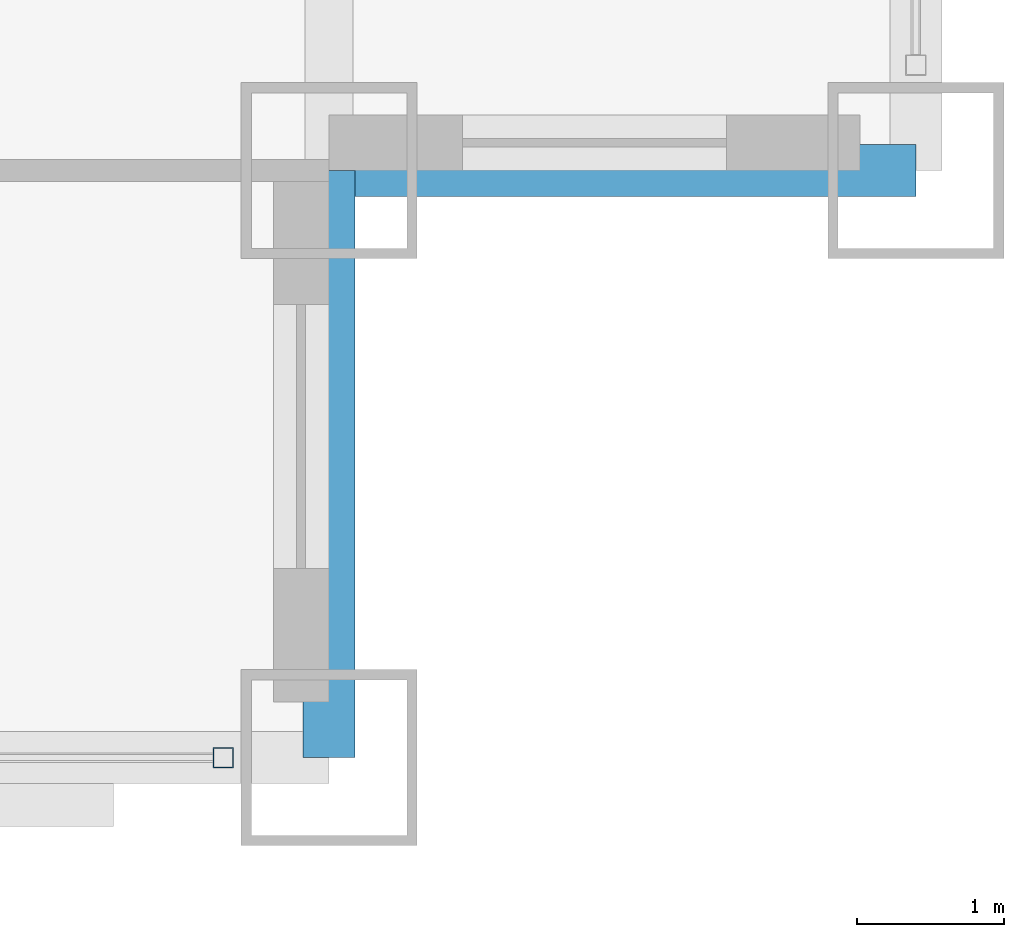
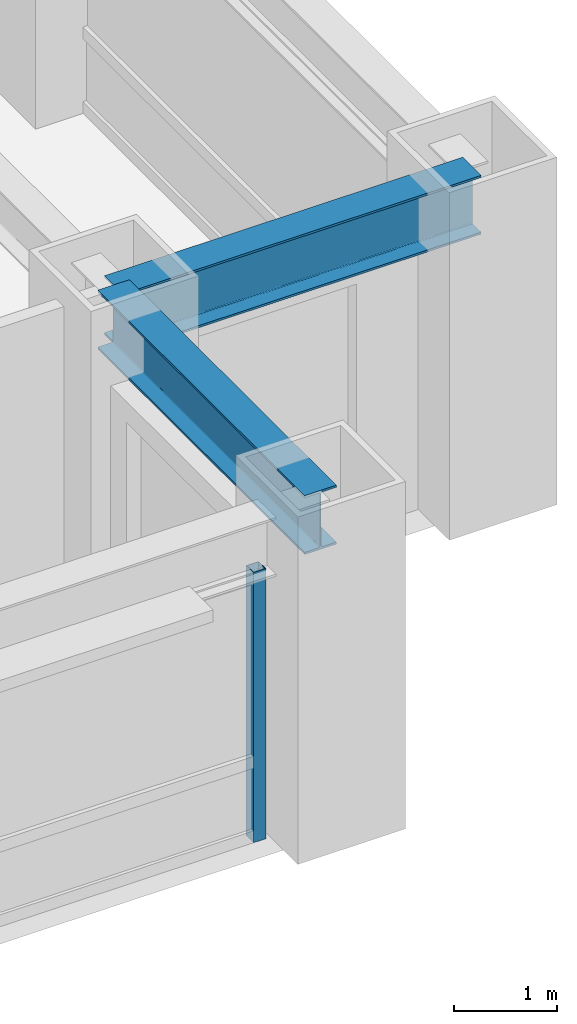
# One storey, part 6 of 32: 2 beams, 1 member, 1 element without a shape of its own.
"""IFC4 building model written with IfcOpenShell, lengths in metres."""

from ifc_helpers import new_model, si_unit, direction, frame, origin, origin_2d, place, context, subcontext, project, spatial, hollow_rectangle, i_section, extrude, source, transform, mapped, material, material_profile, profile_set, type_object, element, aggregate, save


model = new_model("IFC4")

# Units and contexts
model_context = context("Model", 3, precision=1e-05, world=origin(), true_north=direction((0.0, 1.0)))
body_context = subcontext(model_context, "Body", "Model", "MODEL_VIEW")
ifc_project = project(units=[si_unit("LENGTHUNIT", "METRE"), si_unit("AREAUNIT", "SQUARE_METRE"), si_unit("VOLUMEUNIT", "CUBIC_METRE"), si_unit("PLANEANGLEUNIT", "RADIAN"), si_unit("MASSUNIT", "GRAM", prefix="KILO")], contexts=[model_context])

# Site, building, storey
site_placement = place(None, origin())
site = spatial("IfcSite", under=ifc_project, at=site_placement, CompositionType="ELEMENT")
building_placement = place(site_placement, origin())
building = spatial("IfcBuilding", under=site, at=building_placement, Name="Khorayat Bourse Tower", CompositionType="ELEMENT")
storey_placement = place(building_placement, frame((0.0, 0.0, 99.60009765625)))
storey = spatial("IfcBuildingStorey", under=building, at=storey_placement, Name="L22", CompositionType="ELEMENT", Elevation=99.60009765625)

# Beams
ifc_material_1 = material(Name="Steel ASTM A992 Grade 50", Category="steel")
ifc_material_profile_1 = material_profile(ifc_material_1, i_section(OverallWidth=0.35498046875, OverallDepth=0.695068359375, WebThickness=0.015380859375, FlangeThickness=0.02490234375, FilletRadius=0.01806640625, at=origin_2d()), Name="W690X217")
ifc_profile_set_1 = profile_set([ifc_material_profile_1], Name="Steel ASTM A992 Grade 50")
beam_type = type_object("IfcBeamType", Name="BM-SPAN-690", PredefinedType="SPANDREL", material=ifc_profile_set_1)
shared_shape_1 = source(origin(), body_context, "Body", "SweptSolid", [
    extrude(i_section(OverallWidth=0.35498046875, OverallDepth=0.695068359375, WebThickness=0.015380859375, FlangeThickness=0.02490234375, FilletRadius=0.01806640625, at=origin_2d()), origin(), (0.0, 0.0, 1.0), 4.0),
])
for number, where, z_axis, x_axis, name in (
    (1, (28.0, -32.0, 3.492431640625), (0.0, 1.0, 0.0), (-1.0, 0.0, 0.0), "L22 BM-SPAN-690 BM-L22-SPN-032"),
    (2, (28.0, -28.0, 3.492431640625), (1.0, 0.0, 0.0), (0.0, 1.0, 0.0), "L22 BM-SPAN-690 BM-L22-SPN-033"),
):
    element("IfcBeam", number, at=place(storey_placement, frame(where, z_axis=z_axis, x_axis=x_axis)), inside=storey, type_object=beam_type, Name=name, PredefinedType="SPANDREL", context=body_context, shape_type="MappedRepresentation", body=[
        mapped(shared_shape_1, transform((0.0, 0.0, 0.0), scale=1.0)),
    ])

# Curtain wall, member
ifc_material_2 = material(Name="Aluminium EN AW-6063 T6", Category="aluminium")
curtain_wall_type = type_object("IfcCurtainWallType", Name="CW-SYS-02", PredefinedType="NOTDEFINED", material=ifc_material_2)
curtain_wall_placement = place(storey_placement, origin())
curtain_wall = element("IfcCurtainWall", 3, at=curtain_wall_placement, inside=storey, type_object=curtain_wall_type, Name="L22 Curtain Wall CW-L22-S1", PredefinedType="NOTDEFINED")
ifc_material_profile_2 = material_profile(ifc_material_2, hollow_rectangle(XDim=0.139892578125, YDim=0.139892578125, WallThickness=0.006103515625, at=origin_2d()), Name="ALU 140x140x6")
ifc_profile_set_2 = profile_set([ifc_material_profile_2], Name="Aluminium EN AW-6063 T6")
member_type = type_object("IfcMemberType", Name="CWM-VERT-140", PredefinedType="MULLION", material=ifc_profile_set_2)
shared_shape_2 = source(origin(), body_context, "Body", "SweptSolid", [
    extrude(hollow_rectangle(XDim=0.139892578125, YDim=0.139892578125, WallThickness=0.006103515625, at=origin_2d()), origin(), (0.0, 0.0, 1.0), 3.18994140625),
])
member_placement = place(storey_placement, frame((27.280029296875, -32.0, 0.0), z_axis=(0.0, 0.0, 1.0), x_axis=(0.0, 1.0, 0.0)))
member = element("IfcMember", 4, at=member_placement, type_object=member_type, Name="CW-L22-S1 Vertical Mullion 3", PredefinedType="MULLION", context=body_context, shape_type="MappedRepresentation", body=[
    mapped(shared_shape_2, transform((0.0, 0.0, 0.0), scale=1.0)),
])
aggregate(curtain_wall, [member])

save(model, "model.ifc")
